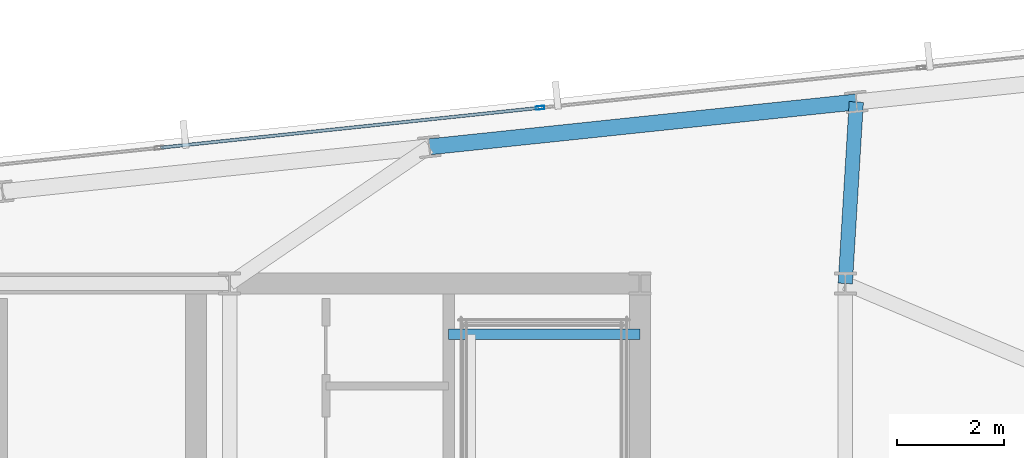
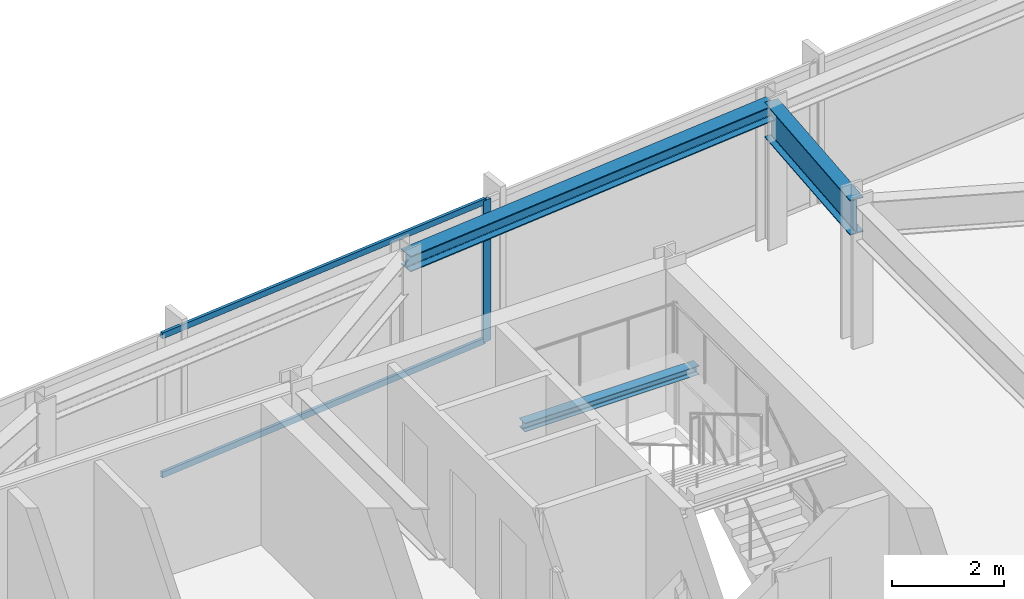
# One storey, part 23 of 33: 3 beams, 3 members, 1 element without a shape of its own.
"""IFC4 building model written with IfcOpenShell, lengths in metres."""

from ifc_helpers import new_model, si_unit, direction, frame, origin, origin_2d, place, context, subcontext, project, spatial, hollow_rectangle, i_section, extrude, material, material_profile, profile_set, type_object, element, aggregate, save


model = new_model("IFC4")

# Units and contexts
model_context = context("Model", 3, precision=1e-05, world=origin(), true_north=direction((0.0, 1.0)))
body_context = subcontext(model_context, "Body", "Model", "MODEL_VIEW")
ifc_project = project(units=[si_unit("LENGTHUNIT", "METRE"), si_unit("AREAUNIT", "SQUARE_METRE"), si_unit("VOLUMEUNIT", "CUBIC_METRE"), si_unit("PLANEANGLEUNIT", "RADIAN"), si_unit("MASSUNIT", "GRAM", prefix="KILO")], contexts=[model_context])

# Site, building, storey
site_placement = place(None, origin())
site = spatial("IfcSite", under=ifc_project, at=site_placement, CompositionType="ELEMENT")
building_placement = place(site_placement, origin())
building = spatial("IfcBuilding", under=site, at=building_placement, Name="Yelkora Congress Tower", CompositionType="ELEMENT")
storey_placement = place(building_placement, frame((0.0, 0.0, 230.89990234375)))
storey = spatial("IfcBuildingStorey", under=building, at=storey_placement, Name="L64", CompositionType="ELEMENT", Elevation=230.89990234375)

# Beams
ifc_material_1 = material(Name="Steel S355J2", Category="steel")
ifc_material_profile_1 = material_profile(ifc_material_1, i_section(OverallWidth=0.26708984375, OverallDepth=0.761962890625, WebThickness=0.014404296875, FlangeThickness=0.021484375, FilletRadius=0.01708984375, at=origin_2d()), Name="IPE 750x173")
ifc_profile_set_1 = profile_set([ifc_material_profile_1], Name="Steel S355J2")
beam_type_1 = type_object("IfcBeamType", Name="BM-GIRD-IPE750", PredefinedType="BEAM", material=ifc_profile_set_1)
beam_1_placement = place(storey_placement, frame((57.806640625, 49.5966796875, 2.69921875), z_axis=(-0.060694337224, -0.998156399283, 0.0), x_axis=(0.998156399283, -0.060694337224, 0.0)))
element("IfcBeam", 1, at=beam_1_placement, inside=storey, type_object=beam_type_1, Name="L64 Primary Frame Girder N06", PredefinedType="BEAM", context=body_context, shape_type="SweptSolid", body=[
    extrude(i_section(OverallWidth=0.26708984375, OverallDepth=0.761962890625, WebThickness=0.014404296875, FlangeThickness=0.021484375, FilletRadius=0.01708984375, at=origin_2d()), origin(), (0.0, 0.0, 1.0), 3.403076171875),
])
ifc_material_profile_2 = material_profile(ifc_material_1, i_section(OverallWidth=0.199951171875, OverallDepth=0.18994140625, WebThickness=0.006591796875, FlangeThickness=0.010009765625, FilletRadius=0.01806640625, at=origin_2d()), Name="HEA 200")
ifc_profile_set_2 = profile_set([ifc_material_profile_2], Name="Steel S355J2")
beam_type_2 = type_object("IfcBeamType", Name="BM-LAND-HEA200", PredefinedType="BEAM", material=ifc_profile_set_2)
beam_2_placement = place(storey_placement, frame((50.179931640625, 45.25, 1.334716796875), z_axis=(1.0, 0.0, 0.0), x_axis=(0.0, 1.0, 0.0)))
element("IfcBeam", 2, at=beam_2_placement, inside=storey, type_object=beam_type_2, Name="ST-02 L64 Landing Header Beam 1N", PredefinedType="BEAM", context=body_context, shape_type="SweptSolid", body=[
    extrude(i_section(OverallWidth=0.199951171875, OverallDepth=0.18994140625, WebThickness=0.006591796875, FlangeThickness=0.010009765625, FilletRadius=0.01806640625, at=origin_2d()), origin(), (0.0, 0.0, 1.0), 3.580078125),
])
ifc_material_profile_3 = material_profile(ifc_material_1, i_section(OverallWidth=0.300048828125, OverallDepth=0.340087890625, WebThickness=0.011962890625, FlangeThickness=0.021484375, FilletRadius=0.027099609375, at=origin_2d()), Name="HEB 340")
ifc_profile_set_3 = profile_set([ifc_material_profile_3], Name="Steel S355J2")
beam_type_3 = type_object("IfcBeamType", Name="BM-SPAN-HEB340", PredefinedType="SPANDREL", material=ifc_profile_set_3)
beam_3_placement = place(storey_placement, frame((57.806640625, 49.5966796875, 2.91015625), z_axis=(-0.994523256947, -0.104515507904, 0.0), x_axis=(0.104515507904, -0.994523256947, 0.0)))
element("IfcBeam", 3, at=beam_3_placement, inside=storey, type_object=beam_type_3, Name="L64 Perimeter Beam 14", PredefinedType="SPANDREL", context=body_context, shape_type="SweptSolid", body=[
    extrude(i_section(OverallWidth=0.300048828125, OverallDepth=0.340087890625, WebThickness=0.011962890625, FlangeThickness=0.021484375, FilletRadius=0.027099609375, at=origin_2d()), origin(), (0.0, 0.0, 1.0), 8.033203125),
])

# Curtain wall, members
ifc_material_2 = material(Name="Anodised aluminium and insulated glass", Category="aluminium")
curtain_wall_type = type_object("IfcCurtainWallType", Name="CW-SYS-B4", PredefinedType="NOTDEFINED", material=ifc_material_2)
curtain_wall_placement = place(storey_placement, origin())
curtain_wall = element("IfcCurtainWall", 4, at=curtain_wall_placement, inside=storey, type_object=curtain_wall_type, Name="L64 Unitised Curtain Wall 10 (3)", PredefinedType="NOTDEFINED")
ifc_material_3 = material(Name="Anodised aluminium 6063-T6", Category="aluminium")
ifc_material_profile_4 = material_profile(ifc_material_3, hollow_rectangle(XDim=0.06494140625, YDim=0.159912109375, WallThickness=0.00390625, at=origin_2d()), Name="ALU 65x160x4")
ifc_profile_set_4 = profile_set([ifc_material_profile_4], Name="Anodised aluminium 6063-T6")
member_type_1 = type_object("IfcMemberType", Name="MEM-ML-B4", PredefinedType="MULLION", material=ifc_profile_set_4)
member_1_placement = place(storey_placement, frame((51.888916015625, 49.487548828125, 0.0), z_axis=(0.0, 0.0, 1.0), x_axis=(-0.104527724021, 0.994521973066, 0.0)))
member_1 = element("IfcMember", 5, at=member_1_placement, type_object=member_type_1, Name="CW-B4 mullion 5", PredefinedType="MULLION", context=body_context, shape_type="SweptSolid", body=[
    extrude(hollow_rectangle(XDim=0.06494140625, YDim=0.159912109375, WallThickness=0.00390625, at=origin_2d()), origin(), (0.0, 0.0, 1.0), 3.080078125),
])
ifc_material_profile_5 = material_profile(ifc_material_3, hollow_rectangle(XDim=0.06005859375, YDim=0.1298828125, WallThickness=0.00390625, at=origin_2d()), Name="ALU 60x130x4")
ifc_profile_set_5 = profile_set([ifc_material_profile_5], Name="Anodised aluminium 6063-T6")
member_type_2 = type_object("IfcMemberType", Name="MEM-TR-B4", PredefinedType="USERDEFINED", material=ifc_profile_set_5)
member_2_placement = place(storey_placement, frame((44.79052734375, 48.74169921875, 0.030029296875), z_axis=(0.99452200925, 0.104527379751, 0.0), x_axis=(-0.104527379751, 0.99452200925, 0.0)))
member_2 = element("IfcMember", 6, at=member_2_placement, type_object=member_type_2, Name="CW-B4 transom 4.1", ObjectType="TRANSOM", PredefinedType="USERDEFINED", context=body_context, shape_type="SweptSolid", body=[
    extrude(hollow_rectangle(XDim=0.06005859375, YDim=0.1298828125, WallThickness=0.00390625, at=origin_2d()), origin(), (0.0, 0.0, 1.0), 7.10498046875),
])
member_3_placement = place(storey_placement, frame((44.79052734375, 48.74169921875, 3.050048828125), z_axis=(0.99452200925, 0.104527379751, 0.0), x_axis=(-0.104527379751, 0.99452200925, 0.0)))
member_3 = element("IfcMember", 7, at=member_3_placement, type_object=member_type_2, Name="CW-B4 transom 4.2", ObjectType="TRANSOM", PredefinedType="USERDEFINED", context=body_context, shape_type="SweptSolid", body=[
    extrude(hollow_rectangle(XDim=0.06005859375, YDim=0.1298828125, WallThickness=0.00390625, at=origin_2d()), origin(), (0.0, 0.0, 1.0), 7.10498046875),
])
aggregate(curtain_wall, [member_1, member_2, member_3])

save(model, "model.ifc")
